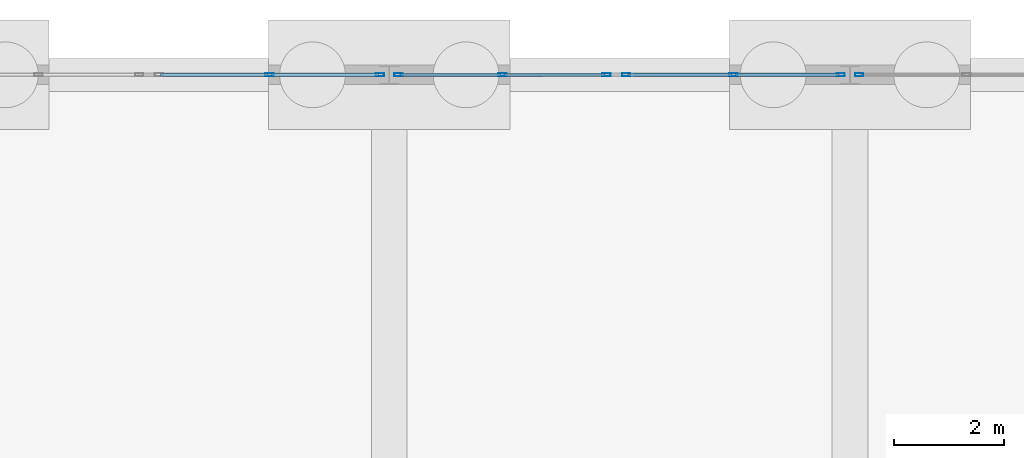
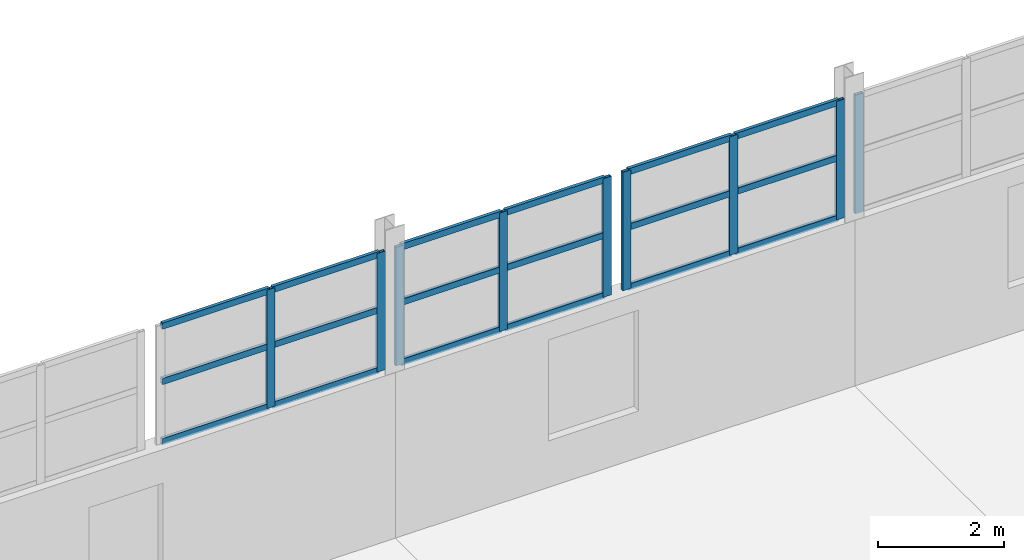
# One storey, part 95 of 139: 27 members, 4 elements without a shape of their own.
"""IFC4 building model written with IfcOpenShell, lengths in metres."""

from ifc_helpers import new_model, si_unit, direction, frame, origin, origin_2d, place, context, subcontext, project, spatial, hollow_rectangle, extrude, material, material_profile, profile_set, type_object, element, aggregate, save


model = new_model("IFC4")

# Units and contexts
model_context = context("Model", 3, precision=1e-05, world=origin(), true_north=direction((0.0, 1.0)))
body_context = subcontext(model_context, "Body", "Model", "MODEL_VIEW")
ifc_project = project(units=[si_unit("LENGTHUNIT", "METRE"), si_unit("AREAUNIT", "SQUARE_METRE"), si_unit("VOLUMEUNIT", "CUBIC_METRE"), si_unit("PLANEANGLEUNIT", "RADIAN"), si_unit("MASSUNIT", "GRAM", prefix="KILO")], contexts=[model_context])

# Site, building, storey
site_placement = place(None, origin())
site = spatial("IfcSite", under=ifc_project, at=site_placement, CompositionType="ELEMENT")
building_placement = place(site_placement, origin())
building = spatial("IfcBuilding", under=site, at=building_placement, Name="Kazenagashi Tramway Depot", CompositionType="ELEMENT")
storey_placement = place(building_placement, origin())
storey = spatial("IfcBuildingStorey", under=building, at=storey_placement, Name="L01", CompositionType="ELEMENT", Elevation=0.0)

# Curtain wall, members
ifc_material_1 = material(Name="Anodised Aluminium and Low-E Glazing", Category="aluminium")
curtain_wall_type_1 = type_object("IfcCurtainWallType", Name="CW-16", PredefinedType="USERDEFINED", material=ifc_material_1)
curtain_wall_1_placement = place(storey_placement, origin())
curtain_wall_1 = element("IfcCurtainWall", 1, at=curtain_wall_1_placement, inside=storey, type_object=curtain_wall_type_1, Name="Industrial Glazed Screen CW-16 CW-0064", ObjectType="GLAZED SCREEN", PredefinedType="USERDEFINED")
ifc_material_2 = material(Name="Anodised Aluminium", Category="aluminium")
ifc_material_profile_1 = material_profile(ifc_material_2, hollow_rectangle(XDim=0.06, YDim=0.15, WallThickness=0.004, at=origin_2d()), Name="RHS-150x60x4")
ifc_profile_set_1 = profile_set([ifc_material_profile_1], Name="Anodised Aluminium")
member_type_1 = type_object("IfcMemberType", Name="ML-01", PredefinedType="MULLION", material=ifc_profile_set_1)
member_1_placement = place(storey_placement, frame((84.615, 130.0, 3.2), z_axis=(0.0, 0.0, 1.0), x_axis=(0.0, 1.0, 0.0)))
member_1 = element("IfcMember", 2, at=member_1_placement, type_object=member_type_1, Name="CW-16 mullion 2", PredefinedType="MULLION", context=body_context, shape_type="SweptSolid", body=[
    extrude(hollow_rectangle(XDim=0.06, YDim=0.15, WallThickness=0.004, at=origin_2d()), origin(), (0.0, 0.0, 1.0), 2.292),
])
member_2_placement = place(storey_placement, frame((86.63, 130.0, 3.2), z_axis=(0.0, 0.0, 1.0), x_axis=(0.0, 1.0, 0.0)))
member_2 = element("IfcMember", 3, at=member_2_placement, type_object=member_type_1, Name="CW-16 mullion 3", PredefinedType="MULLION", context=body_context, shape_type="SweptSolid", body=[
    extrude(hollow_rectangle(XDim=0.06, YDim=0.15, WallThickness=0.004, at=origin_2d()), origin(), (0.0, 0.0, 1.0), 2.292),
])

curtain_wall_type_2 = type_object("IfcCurtainWallType", Name="CW-18", PredefinedType="USERDEFINED", material=ifc_material_1)
curtain_wall_2_placement = place(storey_placement, origin())
curtain_wall_2 = element("IfcCurtainWall", 4, at=curtain_wall_2_placement, inside=storey, type_object=curtain_wall_type_2, Name="Industrial Glazed Screen CW-18 CW-0066", ObjectType="GLAZED SCREEN", PredefinedType="USERDEFINED")
member_3_placement = place(storey_placement, frame((86.97, 130.0, 3.2), z_axis=(0.0, 0.0, 1.0), x_axis=(0.0, 1.0, 0.0)))
member_3 = element("IfcMember", 5, at=member_3_placement, type_object=member_type_1, Name="CW-18 mullion 1", PredefinedType="MULLION", context=body_context, shape_type="SweptSolid", body=[
    extrude(hollow_rectangle(XDim=0.06, YDim=0.15, WallThickness=0.004, at=origin_2d()), origin(), (0.0, 0.0, 1.0), 2.292),
])
member_4_placement = place(storey_placement, frame((88.865, 130.0, 3.2), z_axis=(0.0, 0.0, 1.0), x_axis=(0.0, 1.0, 0.0)))
member_4 = element("IfcMember", 6, at=member_4_placement, type_object=member_type_1, Name="CW-18 mullion 2", PredefinedType="MULLION", context=body_context, shape_type="SweptSolid", body=[
    extrude(hollow_rectangle(XDim=0.06, YDim=0.15, WallThickness=0.004, at=origin_2d()), origin(), (0.0, 0.0, 1.0), 2.292),
])
member_5_placement = place(storey_placement, frame((90.76, 130.0, 3.2), z_axis=(0.0, 0.0, 1.0), x_axis=(0.0, 1.0, 0.0)))
member_5 = element("IfcMember", 7, at=member_5_placement, type_object=member_type_1, Name="CW-18 mullion 3", PredefinedType="MULLION", context=body_context, shape_type="SweptSolid", body=[
    extrude(hollow_rectangle(XDim=0.06, YDim=0.15, WallThickness=0.004, at=origin_2d()), origin(), (0.0, 0.0, 1.0), 2.292),
])

curtain_wall_type_3 = type_object("IfcCurtainWallType", Name="CW-19", PredefinedType="USERDEFINED", material=ifc_material_1)
curtain_wall_3_placement = place(storey_placement, origin())
curtain_wall_3 = element("IfcCurtainWall", 8, at=curtain_wall_3_placement, inside=storey, type_object=curtain_wall_type_3, Name="Industrial Glazed Screen CW-19 CW-0067", ObjectType="GLAZED SCREEN", PredefinedType="USERDEFINED")
member_6_placement = place(storey_placement, frame((91.12, 130.0, 3.2), z_axis=(0.0, 0.0, 1.0), x_axis=(0.0, 1.0, 0.0)))
member_6 = element("IfcMember", 9, at=member_6_placement, type_object=member_type_1, Name="CW-19 mullion 1", PredefinedType="MULLION", context=body_context, shape_type="SweptSolid", body=[
    extrude(hollow_rectangle(XDim=0.06, YDim=0.15, WallThickness=0.004, at=origin_2d()), origin(), (0.0, 0.0, 1.0), 2.292),
])
member_7_placement = place(storey_placement, frame((93.075, 130.0, 3.2), z_axis=(0.0, 0.0, 1.0), x_axis=(0.0, 1.0, 0.0)))
member_7 = element("IfcMember", 10, at=member_7_placement, type_object=member_type_1, Name="CW-19 mullion 2", PredefinedType="MULLION", context=body_context, shape_type="SweptSolid", body=[
    extrude(hollow_rectangle(XDim=0.06, YDim=0.15, WallThickness=0.004, at=origin_2d()), origin(), (0.0, 0.0, 1.0), 2.292),
])
member_8_placement = place(storey_placement, frame((95.03, 130.0, 3.2), z_axis=(0.0, 0.0, 1.0), x_axis=(0.0, 1.0, 0.0)))
member_8 = element("IfcMember", 11, at=member_8_placement, type_object=member_type_1, Name="CW-19 mullion 3", PredefinedType="MULLION", context=body_context, shape_type="SweptSolid", body=[
    extrude(hollow_rectangle(XDim=0.06, YDim=0.15, WallThickness=0.004, at=origin_2d()), origin(), (0.0, 0.0, 1.0), 2.292),
])

# Curtain wall, member
curtain_wall_4_placement = place(storey_placement, origin())
curtain_wall_4 = element("IfcCurtainWall", 12, at=curtain_wall_4_placement, inside=storey, type_object=curtain_wall_type_3, Name="Industrial Glazed Screen CW-19 CW-0069", ObjectType="GLAZED SCREEN", PredefinedType="USERDEFINED")
member_9_placement = place(storey_placement, frame((95.37, 130.0, 3.2), z_axis=(0.0, 0.0, 1.0), x_axis=(0.0, 1.0, 0.0)))
member_9 = element("IfcMember", 13, at=member_9_placement, type_object=member_type_1, Name="CW-19 mullion 1", PredefinedType="MULLION", context=body_context, shape_type="SweptSolid", body=[
    extrude(hollow_rectangle(XDim=0.06, YDim=0.15, WallThickness=0.004, at=origin_2d()), origin(), (0.0, 0.0, 1.0), 2.292),
])
aggregate(curtain_wall_4, [member_9])

# Member
ifc_material_profile_2 = material_profile(ifc_material_2, hollow_rectangle(XDim=0.06, YDim=0.12, WallThickness=0.004, at=origin_2d()), Name="RHS-120x60x4")
ifc_profile_set_2 = profile_set([ifc_material_profile_2], Name="Anodised Aluminium")
member_type_2 = type_object("IfcMemberType", Name="TR-01", PredefinedType="USERDEFINED", material=ifc_profile_set_2)
member_10_placement = place(storey_placement, frame((82.63, 130.0, 3.23), z_axis=(1.0, 0.0, 0.0), x_axis=(0.0, 1.0, 0.0)))
member_10 = element("IfcMember", 14, at=member_10_placement, type_object=member_type_2, Name="CW-16 transom 1.1", ObjectType="TRANSOM", PredefinedType="USERDEFINED", context=body_context, shape_type="SweptSolid", body=[
    extrude(hollow_rectangle(XDim=0.06, YDim=0.12, WallThickness=0.004, at=origin_2d()), origin(), (0.0, 0.0, 1.0), 1.955),
])

member_11_placement = place(storey_placement, frame((82.63, 130.0, 4.392), z_axis=(1.0, 0.0, 0.0), x_axis=(0.0, 1.0, 0.0)))
member_11 = element("IfcMember", 15, at=member_11_placement, type_object=member_type_2, Name="CW-16 transom 1.2", ObjectType="TRANSOM", PredefinedType="USERDEFINED", context=body_context, shape_type="SweptSolid", body=[
    extrude(hollow_rectangle(XDim=0.06, YDim=0.12, WallThickness=0.004, at=origin_2d()), origin(), (0.0, 0.0, 1.0), 1.955),
])

member_12_placement = place(storey_placement, frame((82.63, 130.0, 5.462), z_axis=(1.0, 0.0, 0.0), x_axis=(0.0, 1.0, 0.0)))
member_12 = element("IfcMember", 16, at=member_12_placement, type_object=member_type_2, Name="CW-16 transom 1.3", ObjectType="TRANSOM", PredefinedType="USERDEFINED", context=body_context, shape_type="SweptSolid", body=[
    extrude(hollow_rectangle(XDim=0.06, YDim=0.12, WallThickness=0.004, at=origin_2d()), origin(), (0.0, 0.0, 1.0), 1.955),
])

member_13_placement = place(storey_placement, frame((84.645, 130.0, 3.23), z_axis=(1.0, 0.0, 0.0), x_axis=(0.0, 1.0, 0.0)))
member_13 = element("IfcMember", 17, at=member_13_placement, type_object=member_type_2, Name="CW-16 transom 2.1", ObjectType="TRANSOM", PredefinedType="USERDEFINED", context=body_context, shape_type="SweptSolid", body=[
    extrude(hollow_rectangle(XDim=0.06, YDim=0.12, WallThickness=0.004, at=origin_2d()), origin(), (0.0, 0.0, 1.0), 1.955),
])

member_14_placement = place(storey_placement, frame((84.645, 130.0, 4.392), z_axis=(1.0, 0.0, 0.0), x_axis=(0.0, 1.0, 0.0)))
member_14 = element("IfcMember", 18, at=member_14_placement, type_object=member_type_2, Name="CW-16 transom 2.2", ObjectType="TRANSOM", PredefinedType="USERDEFINED", context=body_context, shape_type="SweptSolid", body=[
    extrude(hollow_rectangle(XDim=0.06, YDim=0.12, WallThickness=0.004, at=origin_2d()), origin(), (0.0, 0.0, 1.0), 1.955),
])

member_15_placement = place(storey_placement, frame((84.645, 130.0, 5.462), z_axis=(1.0, 0.0, 0.0), x_axis=(0.0, 1.0, 0.0)))
member_15 = element("IfcMember", 19, at=member_15_placement, type_object=member_type_2, Name="CW-16 transom 2.3", ObjectType="TRANSOM", PredefinedType="USERDEFINED", context=body_context, shape_type="SweptSolid", body=[
    extrude(hollow_rectangle(XDim=0.06, YDim=0.12, WallThickness=0.004, at=origin_2d()), origin(), (0.0, 0.0, 1.0), 1.955),
])

aggregate(curtain_wall_1, [member_1, member_2, member_10, member_11, member_12, member_13, member_14, member_15])

member_16_placement = place(storey_placement, frame((87.0, 130.0, 3.23), z_axis=(1.0, 0.0, 0.0), x_axis=(0.0, 1.0, 0.0)))
member_16 = element("IfcMember", 20, at=member_16_placement, type_object=member_type_2, Name="CW-18 transom 1.1", ObjectType="TRANSOM", PredefinedType="USERDEFINED", context=body_context, shape_type="SweptSolid", body=[
    extrude(hollow_rectangle(XDim=0.06, YDim=0.12, WallThickness=0.004, at=origin_2d()), origin(), (0.0, 0.0, 1.0), 1.835),
])

member_17_placement = place(storey_placement, frame((87.0, 130.0, 4.392), z_axis=(1.0, 0.0, 0.0), x_axis=(0.0, 1.0, 0.0)))
member_17 = element("IfcMember", 21, at=member_17_placement, type_object=member_type_2, Name="CW-18 transom 1.2", ObjectType="TRANSOM", PredefinedType="USERDEFINED", context=body_context, shape_type="SweptSolid", body=[
    extrude(hollow_rectangle(XDim=0.06, YDim=0.12, WallThickness=0.004, at=origin_2d()), origin(), (0.0, 0.0, 1.0), 1.835),
])

member_18_placement = place(storey_placement, frame((87.0, 130.0, 5.462), z_axis=(1.0, 0.0, 0.0), x_axis=(0.0, 1.0, 0.0)))
member_18 = element("IfcMember", 22, at=member_18_placement, type_object=member_type_2, Name="CW-18 transom 1.3", ObjectType="TRANSOM", PredefinedType="USERDEFINED", context=body_context, shape_type="SweptSolid", body=[
    extrude(hollow_rectangle(XDim=0.06, YDim=0.12, WallThickness=0.004, at=origin_2d()), origin(), (0.0, 0.0, 1.0), 1.835),
])

member_19_placement = place(storey_placement, frame((88.895, 130.0, 3.23), z_axis=(1.0, 0.0, 0.0), x_axis=(0.0, 1.0, 0.0)))
member_19 = element("IfcMember", 23, at=member_19_placement, type_object=member_type_2, Name="CW-18 transom 2.1", ObjectType="TRANSOM", PredefinedType="USERDEFINED", context=body_context, shape_type="SweptSolid", body=[
    extrude(hollow_rectangle(XDim=0.06, YDim=0.12, WallThickness=0.004, at=origin_2d()), origin(), (0.0, 0.0, 1.0), 1.835),
])

member_20_placement = place(storey_placement, frame((88.895, 130.0, 4.392), z_axis=(1.0, 0.0, 0.0), x_axis=(0.0, 1.0, 0.0)))
member_20 = element("IfcMember", 24, at=member_20_placement, type_object=member_type_2, Name="CW-18 transom 2.2", ObjectType="TRANSOM", PredefinedType="USERDEFINED", context=body_context, shape_type="SweptSolid", body=[
    extrude(hollow_rectangle(XDim=0.06, YDim=0.12, WallThickness=0.004, at=origin_2d()), origin(), (0.0, 0.0, 1.0), 1.835),
])

member_21_placement = place(storey_placement, frame((88.895, 130.0, 5.462), z_axis=(1.0, 0.0, 0.0), x_axis=(0.0, 1.0, 0.0)))
member_21 = element("IfcMember", 25, at=member_21_placement, type_object=member_type_2, Name="CW-18 transom 2.3", ObjectType="TRANSOM", PredefinedType="USERDEFINED", context=body_context, shape_type="SweptSolid", body=[
    extrude(hollow_rectangle(XDim=0.06, YDim=0.12, WallThickness=0.004, at=origin_2d()), origin(), (0.0, 0.0, 1.0), 1.835),
])

aggregate(curtain_wall_2, [member_3, member_4, member_5, member_16, member_17, member_18, member_19, member_20, member_21])

member_22_placement = place(storey_placement, frame((91.15, 130.0, 3.23), z_axis=(1.0, 0.0, 0.0), x_axis=(0.0, 1.0, 0.0)))
member_22 = element("IfcMember", 26, at=member_22_placement, type_object=member_type_2, Name="CW-19 transom 1.1", ObjectType="TRANSOM", PredefinedType="USERDEFINED", context=body_context, shape_type="SweptSolid", body=[
    extrude(hollow_rectangle(XDim=0.06, YDim=0.12, WallThickness=0.004, at=origin_2d()), origin(), (0.0, 0.0, 1.0), 1.895),
])

member_23_placement = place(storey_placement, frame((91.15, 130.0, 4.392), z_axis=(1.0, 0.0, 0.0), x_axis=(0.0, 1.0, 0.0)))
member_23 = element("IfcMember", 27, at=member_23_placement, type_object=member_type_2, Name="CW-19 transom 1.2", ObjectType="TRANSOM", PredefinedType="USERDEFINED", context=body_context, shape_type="SweptSolid", body=[
    extrude(hollow_rectangle(XDim=0.06, YDim=0.12, WallThickness=0.004, at=origin_2d()), origin(), (0.0, 0.0, 1.0), 1.895),
])

member_24_placement = place(storey_placement, frame((91.15, 130.0, 5.462), z_axis=(1.0, 0.0, 0.0), x_axis=(0.0, 1.0, 0.0)))
member_24 = element("IfcMember", 28, at=member_24_placement, type_object=member_type_2, Name="CW-19 transom 1.3", ObjectType="TRANSOM", PredefinedType="USERDEFINED", context=body_context, shape_type="SweptSolid", body=[
    extrude(hollow_rectangle(XDim=0.06, YDim=0.12, WallThickness=0.004, at=origin_2d()), origin(), (0.0, 0.0, 1.0), 1.895),
])

member_25_placement = place(storey_placement, frame((93.105, 130.0, 3.23), z_axis=(1.0, 0.0, 0.0), x_axis=(0.0, 1.0, 0.0)))
member_25 = element("IfcMember", 29, at=member_25_placement, type_object=member_type_2, Name="CW-19 transom 2.1", ObjectType="TRANSOM", PredefinedType="USERDEFINED", context=body_context, shape_type="SweptSolid", body=[
    extrude(hollow_rectangle(XDim=0.06, YDim=0.12, WallThickness=0.004, at=origin_2d()), origin(), (0.0, 0.0, 1.0), 1.895),
])

member_26_placement = place(storey_placement, frame((93.105, 130.0, 4.392), z_axis=(1.0, 0.0, 0.0), x_axis=(0.0, 1.0, 0.0)))
member_26 = element("IfcMember", 30, at=member_26_placement, type_object=member_type_2, Name="CW-19 transom 2.2", ObjectType="TRANSOM", PredefinedType="USERDEFINED", context=body_context, shape_type="SweptSolid", body=[
    extrude(hollow_rectangle(XDim=0.06, YDim=0.12, WallThickness=0.004, at=origin_2d()), origin(), (0.0, 0.0, 1.0), 1.895),
])

member_27_placement = place(storey_placement, frame((93.105, 130.0, 5.462), z_axis=(1.0, 0.0, 0.0), x_axis=(0.0, 1.0, 0.0)))
member_27 = element("IfcMember", 31, at=member_27_placement, type_object=member_type_2, Name="CW-19 transom 2.3", ObjectType="TRANSOM", PredefinedType="USERDEFINED", context=body_context, shape_type="SweptSolid", body=[
    extrude(hollow_rectangle(XDim=0.06, YDim=0.12, WallThickness=0.004, at=origin_2d()), origin(), (0.0, 0.0, 1.0), 1.895),
])

aggregate(curtain_wall_3, [member_6, member_7, member_8, member_22, member_23, member_24, member_25, member_26, member_27])

save(model, "model.ifc")
